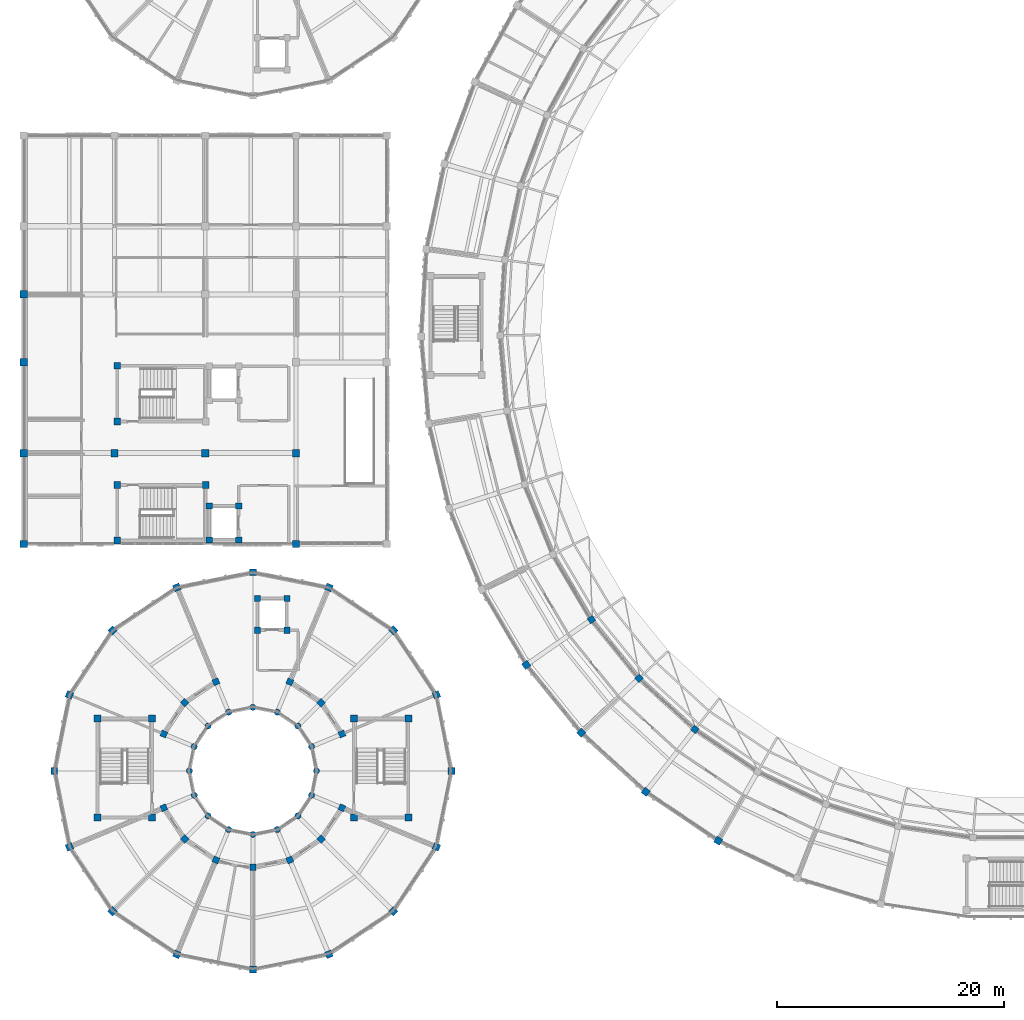
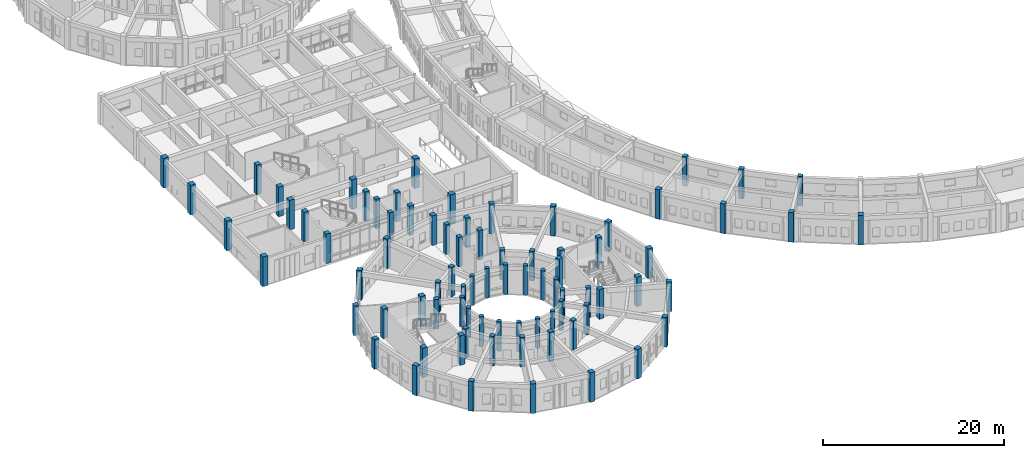
# One storey, part 1 of 112: 81 columns.
"""IFC4 building model written with IfcOpenShell, lengths in metres."""

from ifc_helpers import new_model, si_unit, direction, frame, origin, origin_2d, place, context, subcontext, project, spatial, rectangle, circle, extrude, material, material_profile, profile_set, type_object, element, save


model = new_model("IFC4")

# Units and contexts
model_context = context("Model", 3, precision=1e-05, world=origin(), true_north=direction((0.0, 1.0)))
body_context = subcontext(model_context, "Body", "Model", "MODEL_VIEW")
ifc_project = project(units=[si_unit("LENGTHUNIT", "METRE"), si_unit("AREAUNIT", "SQUARE_METRE"), si_unit("VOLUMEUNIT", "CUBIC_METRE"), si_unit("PLANEANGLEUNIT", "RADIAN"), si_unit("MASSUNIT", "GRAM", prefix="KILO")], contexts=[model_context])

# Site, building, storey
site_placement = place(None, origin())
site = spatial("IfcSite", under=ifc_project, at=site_placement, CompositionType="ELEMENT")
building_placement = place(site_placement, origin())
building = spatial("IfcBuilding", under=site, at=building_placement, Name="Celadon Cloister-Ring School", CompositionType="ELEMENT")
storey_placement = place(building_placement, frame((0.0, 0.0, 8.5)))
storey = spatial("IfcBuildingStorey", under=building, at=storey_placement, Name="L02", CompositionType="ELEMENT", Elevation=8.5)

# Columns
ifc_material_1 = material(Name="Concrete C40/50", Category="concrete")
ifc_material_profile_1 = material_profile(ifc_material_1, rectangle(XDim=0.64990234375, YDim=0.64990234375, at=origin_2d()), Name="RC650X650")
ifc_profile_set_1 = profile_set([ifc_material_profile_1], Name="Concrete C40/50")
column_type_1 = type_object("IfcColumnType", Name="CT-03", PredefinedType="COLUMN", material=ifc_profile_set_1)
for number, where, z_axis, x_axis, name in (
    (1, (16.0, 48.0, 0.0), (0.0, 0.0, 1.0), (1.0, 0.0, 0.0), "Column 1094"),
    (2, (24.0, 48.0, 0.0), (0.0, 0.0, 1.0), (1.0, 0.0, 0.0), "Column 1122"),
    (3, (8.0, 48.0, 0.0), (0.0, 0.0, 1.0), (1.0, 0.0, 0.0), "Column 1179"),
):
    element("IfcColumn", number, at=place(storey_placement, frame(where, z_axis=z_axis, x_axis=x_axis)), inside=storey, type_object=column_type_1, Name=name, PredefinedType="COLUMN", context=body_context, shape_type="SweptSolid", body=[
        extrude(rectangle(XDim=0.64990234375, YDim=0.64990234375, at=origin_2d()), origin(), (0.0, 0.0, 1.0), 4.0),
    ])
ifc_material_2 = material(Name="Concrete C40/50", Category="concrete")
ifc_material_profile_2 = material_profile(ifc_material_2, rectangle(XDim=0.60009765625, YDim=0.60009765625, at=origin_2d()), Name="RC600X600")
ifc_profile_set_2 = profile_set([ifc_material_profile_2], Name="Concrete C40/50")
column_type_2 = type_object("IfcColumnType", Name="CT-04", PredefinedType="COLUMN", material=ifc_profile_set_2)
for number, where, z_axis, x_axis, name in (
    (4, (8.25, 40.300048828125, 0.0), (0.0, 0.0, 1.0), (1.0, 0.0, 0.0), "Column 0125"),
    (5, (16.050048828125, 45.199951171875, 0.0), (0.0, 0.0, 1.0), (1.0, 0.0, 0.0), "Column 0131"),
    (6, (8.25, 45.199951171875, 0.0), (0.0, 0.0, 1.0), (1.0, 0.0, 0.0), "Column 0137"),
    (7, (8.25, 50.800048828125, 0.0), (0.0, 0.0, 1.0), (1.0, 0.0, 0.0), "Column 0143"),
    (8, (8.25, 55.699951171875, 0.0), (0.0, 0.0, 1.0), (1.0, 0.0, 0.0), "Column 0155"),
    (9, (6.5, 15.89990234375, 0.0), (0.0, 0.0, 1.0), (1.0, 0.0, 0.0), "Column 0161"),
    (10, (11.300048828125, 15.89990234375, 0.0), (0.0, 0.0, 1.0), (1.0, 0.0, 0.0), "Column 0165"),
    (11, (11.300048828125, 24.6201171875, 0.0), (0.0, 0.0, 1.0), (1.0, 0.0, 0.0), "Column 0169"),
    (12, (6.5, 24.6201171875, 0.0), (0.0, 0.0, 1.0), (1.0, 0.0, 0.0), "Column 0173"),
    (13, (29.10009765625, 15.89990234375, 0.0), (0.0, 0.0, 1.0), (1.0, 0.0, 0.0), "Column 0177"),
    (14, (33.89990234375, 15.89990234375, 0.0), (0.0, 0.0, 1.0), (1.0, 0.0, 0.0), "Column 0181"),
    (15, (33.89990234375, 24.6201171875, 0.0), (0.0, 0.0, 1.0), (1.0, 0.0, 0.0), "Column 0185"),
    (16, (29.10009765625, 24.6201171875, 0.0), (0.0, 0.0, 1.0), (1.0, 0.0, 0.0), "Column 0189"),
):
    element("IfcColumn", number, at=place(storey_placement, frame(where, z_axis=z_axis, x_axis=x_axis)), inside=storey, type_object=column_type_2, Name=name, PredefinedType="COLUMN", context=body_context, shape_type="SweptSolid", body=[
        extrude(rectangle(XDim=0.60009765625, YDim=0.60009765625, at=origin_2d()), origin(), (0.0, 0.0, 1.0), 4.0),
    ])
ifc_material_3 = material(Name="Concrete C40/50", Category="concrete")
ifc_material_profile_3 = material_profile(ifc_material_3, rectangle(XDim=0.550048828125, YDim=0.550048828125, at=origin_2d()), Name="RC550X550")
ifc_profile_set_3 = profile_set([ifc_material_profile_3], Name="Concrete C40/50")
column_type_3 = type_object("IfcColumnType", Name="CT-05", PredefinedType="COLUMN", material=ifc_profile_set_3)
for number, where, z_axis, x_axis, name in (
    (17, (16.35009765625, 40.35009765625, 0.0), (0.0, 0.0, 1.0), (1.0, 0.0, 0.0), "Column 0214"),
    (18, (18.949951171875, 40.35009765625, 0.0), (0.0, 0.0, 1.0), (1.0, 0.0, 0.0), "Column 0220"),
    (19, (18.949951171875, 43.35009765625, 0.0), (0.0, 0.0, 1.0), (1.0, 0.0, 0.0), "Column 0226"),
    (20, (16.35009765625, 43.35009765625, 0.0), (0.0, 0.0, 1.0), (1.0, 0.0, 0.0), "Column 0232"),
    (21, (20.60009765625, 32.39990234375, 0.0), (0.0, 0.0, 1.0), (1.0, 0.0, 0.0), "Column 0294"),
    (22, (23.199951171875, 32.39990234375, 0.0), (0.0, 0.0, 1.0), (1.0, 0.0, 0.0), "Column 0298"),
    (23, (23.199951171875, 35.199951171875, 0.0), (0.0, 0.0, 1.0), (1.0, 0.0, 0.0), "Column 0302"),
    (24, (20.60009765625, 35.199951171875, 0.0), (0.0, 0.0, 1.0), (1.0, 0.0, 0.0), "Column 0306"),
    (25, (28.052978515625, 23.2529296875, 0.0), (0.0, 0.0, 1.0), (0.923879532511, 0.382683432365, 0.0), "Column 1265"),
    (26, (26.2099609375, 26.010009765625, 0.0), (0.0, 0.0, 1.0), (0.707106781187, 0.707106781187, 0.0), "Column 1269"),
    (27, (23.452880859375, 27.85302734375, 0.0), (0.0, 0.0, 1.0), (0.382683432365, 0.923879532511, 0.0), "Column 1273"),
    (28, (16.947021484375, 27.85302734375, 0.0), (0.0, 0.0, 1.0), (-0.382683432365, 0.923879532511, 0.0), "Column 1277"),
    (29, (14.18994140625, 26.010009765625, 0.0), (0.0, 0.0, 1.0), (-0.707106781187, 0.707106781187, 0.0), "Column 1281"),
    (30, (12.346923828125, 23.2529296875, 0.0), (0.0, 0.0, 1.0), (-0.923879532511, 0.382683432365, 0.0), "Column 1285"),
    (31, (12.346923828125, 16.7470703125, 0.0), (0.0, 0.0, 1.0), (-0.923879532511, -0.382683432365, 0.0), "Column 1289"),
    (32, (14.18994140625, 13.989990234375, 0.0), (0.0, 0.0, 1.0), (-0.707106781187, -0.707106781187, 0.0), "Column 1293"),
    (33, (16.947021484375, 12.14697265625, 0.0), (0.0, 0.0, 1.0), (-0.382683432365, -0.923879532511, 0.0), "Column 1297"),
    (34, (20.199951171875, 11.5, 0.0), (0.0, 0.0, 1.0), (0.0, -1.0, 0.0), "Column 1301"),
    (35, (23.452880859375, 12.14697265625, 0.0), (0.0, 0.0, 1.0), (0.382683432365, -0.923879532511, 0.0), "Column 1305"),
    (36, (26.2099609375, 13.989990234375, 0.0), (0.0, 0.0, 1.0), (0.707106781187, -0.707106781187, 0.0), "Column 1309"),
    (37, (28.052978515625, 16.7470703125, 0.0), (0.0, 0.0, 1.0), (0.923879532511, -0.382683432365, 0.0), "Column 1313"),
):
    element("IfcColumn", number, at=place(storey_placement, frame(where, z_axis=z_axis, x_axis=x_axis)), inside=storey, type_object=column_type_3, Name=name, PredefinedType="COLUMN", context=body_context, shape_type="SweptSolid", body=[
        extrude(rectangle(XDim=0.550048828125, YDim=0.550048828125, at=origin_2d()), origin(), (0.0, 0.0, 1.0), 4.0),
    ])
ifc_material_4 = material(Name="Concrete C40/50", Category="concrete")
ifc_material_profile_4 = material_profile(ifc_material_4, circle(Radius=0.27490234375, at=origin_2d()), Name="CIRC550")
ifc_profile_set_4 = profile_set([ifc_material_profile_4], Name="Concrete C40/50")
column_type_4 = type_object("IfcColumnType", Name="CT-07", PredefinedType="COLUMN", material=ifc_profile_set_4)
for number, where, z_axis, x_axis, name in (
    (38, (25.800048828125, 20.0, 0.0), (0.0, 0.0, 1.0), (1.0, 0.0, 0.0), "Column 1201"),
    (39, (25.3740234375, 22.14306640625, 0.0), (0.0, 0.0, 1.0), (1.0, 0.0, 0.0), "Column 1205"),
    (40, (24.159912109375, 23.9599609375, 0.0), (0.0, 0.0, 1.0), (1.0, 0.0, 0.0), "Column 1209"),
    (41, (22.343017578125, 25.174072265625, 0.0), (0.0, 0.0, 1.0), (1.0, 0.0, 0.0), "Column 1213"),
    (42, (20.199951171875, 25.60009765625, 0.0), (0.0, 0.0, 1.0), (1.0, 0.0, 0.0), "Column 1217"),
    (43, (18.056884765625, 25.174072265625, 0.0), (0.0, 0.0, 1.0), (1.0, 0.0, 0.0), "Column 1221"),
    (44, (16.239990234375, 23.9599609375, 0.0), (0.0, 0.0, 1.0), (1.0, 0.0, 0.0), "Column 1225"),
    (45, (15.02587890625, 22.14306640625, 0.0), (0.0, 0.0, 1.0), (1.0, 0.0, 0.0), "Column 1229"),
    (46, (14.60009765625, 20.0, 0.0), (0.0, 0.0, 1.0), (1.0, 0.0, 0.0), "Column 1233"),
    (47, (15.02587890625, 17.85693359375, 0.0), (0.0, 0.0, 1.0), (1.0, 0.0, 0.0), "Column 1237"),
    (48, (16.239990234375, 16.0400390625, 0.0), (0.0, 0.0, 1.0), (1.0, 0.0, 0.0), "Column 1241"),
    (49, (18.056884765625, 14.825927734375, 0.0), (0.0, 0.0, 1.0), (1.0, 0.0, 0.0), "Column 1245"),
    (50, (20.199951171875, 14.39990234375, 0.0), (0.0, 0.0, 1.0), (1.0, 0.0, 0.0), "Column 1249"),
    (51, (22.343017578125, 14.825927734375, 0.0), (0.0, 0.0, 1.0), (1.0, 0.0, 0.0), "Column 1253"),
    (52, (24.159912109375, 16.0400390625, 0.0), (0.0, 0.0, 1.0), (1.0, 0.0, 0.0), "Column 1257"),
    (53, (25.3740234375, 17.85693359375, 0.0), (0.0, 0.0, 1.0), (1.0, 0.0, 0.0), "Column 1261"),
):
    element("IfcColumn", number, at=place(storey_placement, frame(where, z_axis=z_axis, x_axis=x_axis)), inside=storey, type_object=column_type_4, Name=name, PredefinedType="COLUMN", context=body_context, shape_type="SweptSolid", body=[
        extrude(circle(Radius=0.27490234375, at=origin_2d()), origin(), (0.0, 0.0, 1.0), 4.0),
    ])
ifc_material_5 = material(Name="Concrete C40/50", Category="concrete")
ifc_material_profile_5 = material_profile(ifc_material_5, rectangle(XDim=0.64990234375, YDim=0.64990234375, at=origin_2d()), Name="RC650X650")
ifc_profile_set_5 = profile_set([ifc_material_profile_5], Name="Concrete C40/50")
column_type_5 = type_object("IfcColumnType", Name="CT-22", PredefinedType="COLUMN", material=ifc_profile_set_5)
for number, where, z_axis, x_axis, name in (
    (54, (0.0, 40.0, 0.0), (0.0, 0.0, 1.0), (1.0, 0.0, 0.0), "Column 1060"),
    (55, (0.0, 48.0, 0.0), (0.0, 0.0, 1.0), (1.0, 0.0, 0.0), "Column 1066"),
    (56, (0.0, 56.0, 0.0), (0.0, 0.0, 1.0), (1.0, 0.0, 0.0), "Column 1072"),
    (57, (0.0, 62.0, 0.0), (0.0, 0.0, 1.0), (1.0, 0.0, 0.0), "Column 1078"),
    (58, (24.0, 40.0, 0.0), (0.0, 0.0, 1.0), (1.0, 0.0, 0.0), "Column 1116"),
):
    element("IfcColumn", number, at=place(storey_placement, frame(where, z_axis=z_axis, x_axis=x_axis)), inside=storey, type_object=column_type_5, Name=name, PredefinedType="COLUMN", context=body_context, shape_type="SweptSolid", body=[
        extrude(rectangle(XDim=0.64990234375, YDim=0.64990234375, at=origin_2d()), origin(), (0.0, 0.0, 1.0), 4.0),
    ])
ifc_material_6 = material(Name="Concrete C40/50", Category="concrete")
ifc_material_profile_6 = material_profile(ifc_material_6, rectangle(XDim=0.60009765625, YDim=0.60009765625, at=origin_2d()), Name="RC600X600")
ifc_profile_set_6 = profile_set([ifc_material_profile_6], Name="Concrete C40/50")
column_type_6 = type_object("IfcColumnType", Name="CT-23", PredefinedType="COLUMN", material=ifc_profile_set_6)
for number, where, z_axis, x_axis, name in (
    (59, (44.2880859375, 29.341064453125, 0.0), (0.0, 0.0, 1.0), (-0.821388197028, -0.57036955545, 0.0), "Column 0586"),
    (60, (49.137939453125, 23.35595703125, 0.0), (0.0, 0.0, 1.0), (-0.728107824814, -0.685462614185, 0.0), "Column 0590"),
    (61, (54.820068359375, 18.153076171875, 0.0), (0.0, 0.0, 1.0), (-0.618847204173, -0.785511386224, 0.0), "Column 0594"),
    (62, (61.2080078125, 13.846923828125, 0.0), (0.0, 0.0, 1.0), (-0.496004347874, -0.868320037135, 0.0), "Column 0598"),
    (63, (37.699951171875, 20.0, 0.0), (0.0, 0.0, 1.0), (1.0, 0.0, 0.0), "Column 1317"),
    (64, (36.367919921875, 26.697021484375, 0.0), (0.0, 0.0, 1.0), (0.923879532511, 0.382683432365, 0.0), "Column 1321"),
    (65, (32.573974609375, 32.3740234375, 0.0), (0.0, 0.0, 1.0), (0.707106781187, 0.707106781187, 0.0), "Column 1325"),
    (66, (26.89697265625, 36.16796875, 0.0), (0.0, 0.0, 1.0), (0.382683432365, 0.923879532511, 0.0), "Column 1329"),
    (67, (20.199951171875, 37.5, 0.0), (0.0, 0.0, 1.0), (0.0, 1.0, 0.0), "Column 1333"),
    (68, (13.5029296875, 36.16796875, 0.0), (0.0, 0.0, 1.0), (-0.382683432365, 0.923879532511, 0.0), "Column 1337"),
    (69, (7.825927734375, 32.3740234375, 0.0), (0.0, 0.0, 1.0), (-0.707106781187, 0.707106781187, 0.0), "Column 1341"),
    (70, (4.031982421875, 26.697021484375, 0.0), (0.0, 0.0, 1.0), (-0.923879532511, 0.382683432365, 0.0), "Column 1345"),
    (71, (2.699951171875, 20.0, 0.0), (0.0, 0.0, 1.0), (-1.0, 0.0, 0.0), "Column 1349"),
    (72, (4.031982421875, 13.302978515625, 0.0), (0.0, 0.0, 1.0), (-0.923879532511, -0.382683432365, 0.0), "Column 1353"),
    (73, (7.825927734375, 7.6259765625, 0.0), (0.0, 0.0, 1.0), (-0.707106781187, -0.707106781187, 0.0), "Column 1357"),
    (74, (13.5029296875, 3.83203125, 0.0), (0.0, 0.0, 1.0), (-0.382683432365, -0.923879532511, 0.0), "Column 1361"),
    (75, (20.199951171875, 2.5, 0.0), (0.0, 0.0, 1.0), (0.0, -1.0, 0.0), "Column 1365"),
    (76, (26.89697265625, 3.83203125, 0.0), (0.0, 0.0, 1.0), (0.382683432365, -0.923879532511, 0.0), "Column 1369"),
    (77, (32.573974609375, 7.6259765625, 0.0), (0.0, 0.0, 1.0), (0.707106781187, -0.707106781187, 0.0), "Column 1373"),
    (78, (36.367919921875, 13.302978515625, 0.0), (0.0, 0.0, 1.0), (0.923879532511, -0.382683432365, 0.0), "Column 1377"),
):
    element("IfcColumn", number, at=place(storey_placement, frame(where, z_axis=z_axis, x_axis=x_axis)), inside=storey, type_object=column_type_6, Name=name, PredefinedType="COLUMN", context=body_context, shape_type="SweptSolid", body=[
        extrude(rectangle(XDim=0.60009765625, YDim=0.60009765625, at=origin_2d()), origin(), (0.0, 0.0, 1.0), 4.0),
    ])
ifc_material_7 = material(Name="Concrete C40/50", Category="concrete")
ifc_material_profile_7 = material_profile(ifc_material_7, rectangle(XDim=0.550048828125, YDim=0.550048828125, at=origin_2d()), Name="RC550X550")
ifc_profile_set_7 = profile_set([ifc_material_profile_7], Name="Concrete C40/50")
column_type_7 = type_object("IfcColumnType", Name="CT-24", PredefinedType="COLUMN", material=ifc_profile_set_7)
for number, where, z_axis, x_axis, name in (
    (79, (50.0380859375, 33.3330078125, 0.0), (0.0, 0.0, 1.0), (-0.821388197028, -0.57036955545, 0.0), "Column 0442"),
    (80, (54.235107421875, 28.154052734375, 0.0), (0.0, 0.0, 1.0), (-0.728107824814, -0.685462614185, 0.0), "Column 0446"),
    (81, (59.152099609375, 23.652099609375, 0.0), (0.0, 0.0, 1.0), (-0.618847204173, -0.785511386224, 0.0), "Column 0450"),
):
    element("IfcColumn", number, at=place(storey_placement, frame(where, z_axis=z_axis, x_axis=x_axis)), inside=storey, type_object=column_type_7, Name=name, PredefinedType="COLUMN", context=body_context, shape_type="SweptSolid", body=[
        extrude(rectangle(XDim=0.550048828125, YDim=0.550048828125, at=origin_2d()), origin(), (0.0, 0.0, 1.0), 4.0),
    ])

save(model, "model.ifc")
